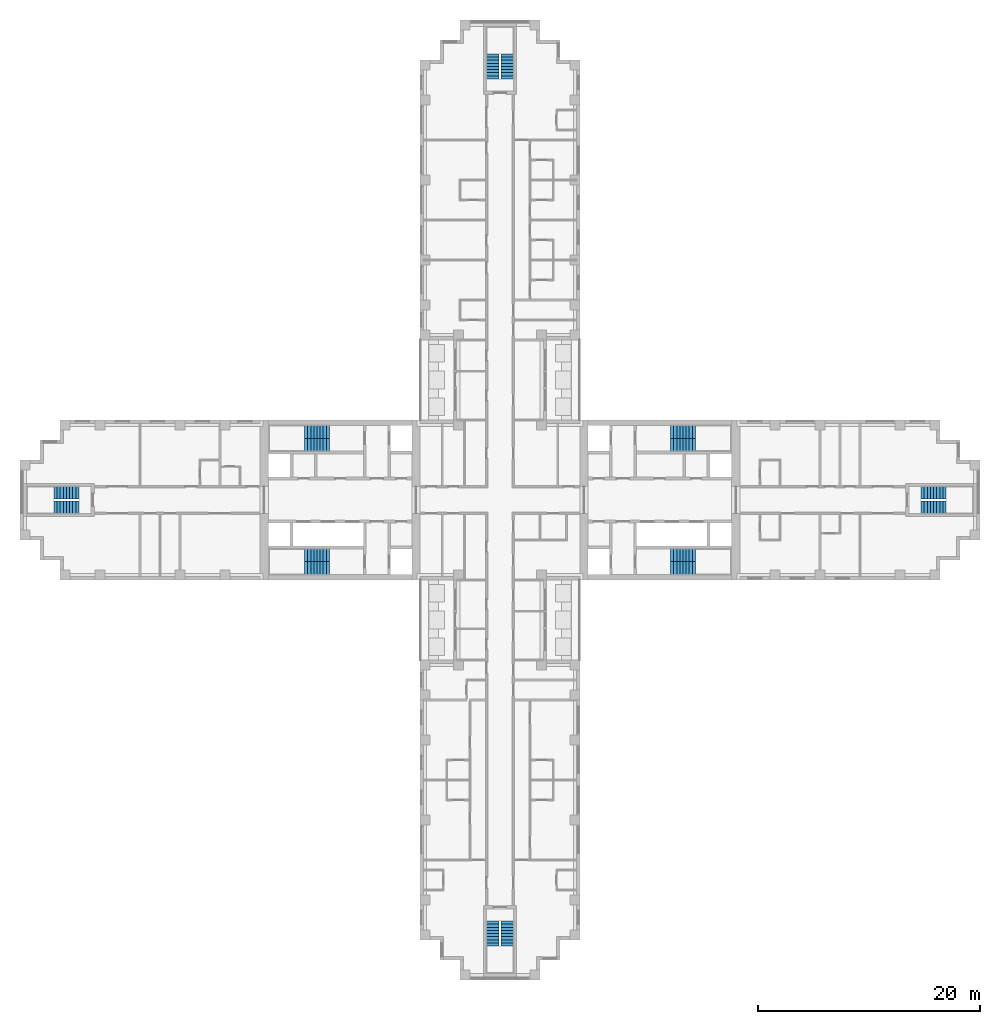
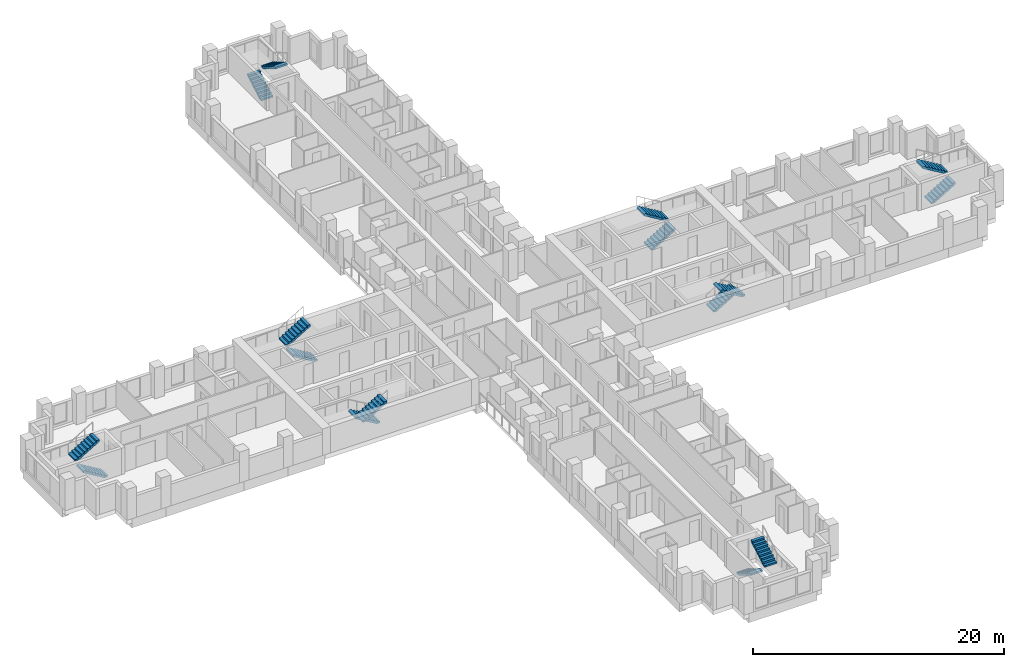
# One storey, part 13 of 15: 16 stair flights, 8 elements without a shape of their own.
"""IFC4 building model written with IfcOpenShell, lengths in metres."""

from ifc_helpers import new_model, si_unit, direction, frame, origin, place, context, subcontext, project, spatial, polyline, outline, extrude, material, type_object, element, aggregate, save


model = new_model("IFC4")

# Units and contexts
model_context = context("Model", 3, precision=1e-05, world=origin(), true_north=direction((0.0, 1.0)))
body_context = subcontext(model_context, "Body", "Model", "MODEL_VIEW")
ifc_project = project(units=[si_unit("LENGTHUNIT", "METRE"), si_unit("AREAUNIT", "SQUARE_METRE"), si_unit("VOLUMEUNIT", "CUBIC_METRE"), si_unit("PLANEANGLEUNIT", "RADIAN"), si_unit("MASSUNIT", "GRAM", prefix="KILO")], contexts=[model_context])

# Site, building, storey
site_placement = place(None, origin())
site = spatial("IfcSite", under=ifc_project, at=site_placement, CompositionType="ELEMENT")
building_placement = place(site_placement, origin())
building = spatial("IfcBuilding", under=site, at=building_placement, Name="Fustian Cross Tower", CompositionType="ELEMENT")
storey_placement = place(building_placement, frame((0.0, 0.0, 53.699951171875)))
storey = spatial("IfcBuildingStorey", under=building, at=storey_placement, Name="L16", CompositionType="ELEMENT", Elevation=53.699951171875)

# Stair, stair flights
ifc_material_1 = material(Name="Concrete C50/60", Category="concrete")
stair_type_1 = type_object("IfcStairType", Name="STAIR 1100 HALF TURN", PredefinedType="HALF_TURN_STAIR", material=ifc_material_1)
stair_1_placement = place(storey_placement, origin())
stair_1 = element("IfcStair", 1, at=stair_1_placement, inside=storey, type_object=stair_type_1, Name="Stair ST5", PredefinedType="HALF_TURN_STAIR")
ifc_material_2 = material(Name="Concrete C50/60", Category="concrete")
stair_flight_type_1 = type_object("IfcStairFlightType", Name="STAIR FLIGHT 1100", PredefinedType="STRAIGHT", material=ifc_material_2)
stair_flight_1_placement = place(storey_placement, frame((-0.64990234375, 37.89990234375, 0.0), z_axis=(0.0, 0.0, 1.0), x_axis=(0.0, 1.0, 0.0)))
stair_flight_1 = element("IfcStairFlight", 2, at=stair_flight_1_placement, type_object=stair_flight_type_1, Name="ST5 flight 1", NumberOfRisers=9, NumberOfTreads=8, PredefinedType="STRAIGHT", RiserHeight=0.166666667, TreadLength=0.28, context=body_context, shape_type="SweptSolid", body=[
    extrude(outline(polyline([(0.0, 0.0), (0.0, 0.166748046875), (0.280029296875, 0.166748046875), (0.280029296875, 0.333251953125), (0.56005859375, 0.333251953125), (0.56005859375, 0.5), (0.840087890625, 0.5), (0.840087890625, 0.666748046875), (1.1201171875, 0.666748046875), (1.1201171875, 0.833251953125), (1.39990234375, 0.833251953125), (1.39990234375, 1.0), (1.679931640625, 1.0), (1.679931640625, 1.166748046875), (1.9599609375, 1.166748046875), (1.9599609375, 1.333251953125), (2.239990234375, 1.333251953125), (2.239990234375, 1.5), (2.239990234375, 1.158935546875), (0.29296875, 0.0), (0.0, 0.0)])), frame((0.0, 0.550048828125, 0.0), z_axis=(0.0, -1.0, 0.0), x_axis=(1.0, 0.0, 0.0)), (0.0, 0.0, 1.0), 1.10009765625),
])
stair_flight_2_placement = place(storey_placement, frame((0.64990234375, 40.139892578125, 1.5), z_axis=(0.0, 0.0, 1.0), x_axis=(0.0, -1.0, 0.0)))
stair_flight_2 = element("IfcStairFlight", 3, at=stair_flight_2_placement, type_object=stair_flight_type_1, Name="ST5 flight 2", NumberOfRisers=9, NumberOfTreads=8, PredefinedType="STRAIGHT", RiserHeight=0.166666667, TreadLength=0.28, context=body_context, shape_type="SweptSolid", body=[
    extrude(outline(polyline([(0.0, 0.0), (0.0, 0.166748046875), (0.280029296875, 0.166748046875), (0.280029296875, 0.333251953125), (0.56005859375, 0.333251953125), (0.56005859375, 0.5), (0.840087890625, 0.5), (0.840087890625, 0.666748046875), (1.1201171875, 0.666748046875), (1.1201171875, 0.833251953125), (1.39990234375, 0.833251953125), (1.39990234375, 1.0), (1.679931640625, 1.0), (1.679931640625, 1.166748046875), (1.9599609375, 1.166748046875), (1.9599609375, 1.333251953125), (2.239990234375, 1.333251953125), (2.239990234375, 1.5), (2.239990234375, 1.158935546875), (0.29296875, 0.0), (0.0, 0.0)])), frame((0.0, 0.550048828125, 0.0), z_axis=(0.0, -1.0, 0.0), x_axis=(1.0, 0.0, 0.0)), (0.0, 0.0, 1.0), 1.10009765625),
])
aggregate(stair_1, [stair_flight_1, stair_flight_2])

stair_2_placement = place(storey_placement, origin())
stair_2 = element("IfcStair", 4, at=stair_2_placement, inside=storey, type_object=stair_type_1, Name="Stair ST6", PredefinedType="HALF_TURN_STAIR")
stair_flight_3_placement = place(storey_placement, frame((-0.64990234375, -37.89990234375, 0.0), z_axis=(0.0, 0.0, 1.0), x_axis=(0.0, -1.0, 0.0)))
stair_flight_3 = element("IfcStairFlight", 5, at=stair_flight_3_placement, type_object=stair_flight_type_1, Name="ST6 flight 1", NumberOfRisers=9, NumberOfTreads=8, PredefinedType="STRAIGHT", RiserHeight=0.166666667, TreadLength=0.28, context=body_context, shape_type="SweptSolid", body=[
    extrude(outline(polyline([(0.0, 0.0), (0.0, 0.166748046875), (0.280029296875, 0.166748046875), (0.280029296875, 0.333251953125), (0.56005859375, 0.333251953125), (0.56005859375, 0.5), (0.840087890625, 0.5), (0.840087890625, 0.666748046875), (1.1201171875, 0.666748046875), (1.1201171875, 0.833251953125), (1.39990234375, 0.833251953125), (1.39990234375, 1.0), (1.679931640625, 1.0), (1.679931640625, 1.166748046875), (1.9599609375, 1.166748046875), (1.9599609375, 1.333251953125), (2.239990234375, 1.333251953125), (2.239990234375, 1.5), (2.239990234375, 1.158935546875), (0.29296875, 0.0), (0.0, 0.0)])), frame((0.0, 0.550048828125, 0.0), z_axis=(0.0, -1.0, 0.0), x_axis=(1.0, 0.0, 0.0)), (0.0, 0.0, 1.0), 1.10009765625),
])
stair_flight_4_placement = place(storey_placement, frame((0.64990234375, -40.139892578125, 1.5), z_axis=(0.0, 0.0, 1.0), x_axis=(0.0, 1.0, 0.0)))
stair_flight_4 = element("IfcStairFlight", 6, at=stair_flight_4_placement, type_object=stair_flight_type_1, Name="ST6 flight 2", NumberOfRisers=9, NumberOfTreads=8, PredefinedType="STRAIGHT", RiserHeight=0.166666667, TreadLength=0.28, context=body_context, shape_type="SweptSolid", body=[
    extrude(outline(polyline([(0.0, 0.0), (0.0, 0.166748046875), (0.280029296875, 0.166748046875), (0.280029296875, 0.333251953125), (0.56005859375, 0.333251953125), (0.56005859375, 0.5), (0.840087890625, 0.5), (0.840087890625, 0.666748046875), (1.1201171875, 0.666748046875), (1.1201171875, 0.833251953125), (1.39990234375, 0.833251953125), (1.39990234375, 1.0), (1.679931640625, 1.0), (1.679931640625, 1.166748046875), (1.9599609375, 1.166748046875), (1.9599609375, 1.333251953125), (2.239990234375, 1.333251953125), (2.239990234375, 1.5), (2.239990234375, 1.158935546875), (0.29296875, 0.0), (0.0, 0.0)])), frame((0.0, 0.550048828125, 0.0), z_axis=(0.0, -1.0, 0.0), x_axis=(1.0, 0.0, 0.0)), (0.0, 0.0, 1.0), 1.10009765625),
])
aggregate(stair_2, [stair_flight_3, stair_flight_4])

stair_3_placement = place(storey_placement, origin())
stair_3 = element("IfcStair", 7, at=stair_3_placement, inside=storey, type_object=stair_type_1, Name="Stair ST8", PredefinedType="HALF_TURN_STAIR")
stair_flight_5_placement = place(storey_placement, frame((37.89990234375, -0.64990234375, 0.0), z_axis=(0.0, 0.0, 1.0), x_axis=(1.0, 0.0, 0.0)))
stair_flight_5 = element("IfcStairFlight", 8, at=stair_flight_5_placement, type_object=stair_flight_type_1, Name="ST8 flight 1", NumberOfRisers=9, NumberOfTreads=8, PredefinedType="STRAIGHT", RiserHeight=0.166666667, TreadLength=0.28, context=body_context, shape_type="SweptSolid", body=[
    extrude(outline(polyline([(0.0, 0.0), (0.0, 0.166748046875), (0.280029296875, 0.166748046875), (0.280029296875, 0.333251953125), (0.56005859375, 0.333251953125), (0.56005859375, 0.5), (0.840087890625, 0.5), (0.840087890625, 0.666748046875), (1.1201171875, 0.666748046875), (1.1201171875, 0.833251953125), (1.39990234375, 0.833251953125), (1.39990234375, 1.0), (1.679931640625, 1.0), (1.679931640625, 1.166748046875), (1.9599609375, 1.166748046875), (1.9599609375, 1.333251953125), (2.239990234375, 1.333251953125), (2.239990234375, 1.5), (2.239990234375, 1.158935546875), (0.29296875, 0.0), (0.0, 0.0)])), frame((0.0, 0.550048828125, 0.0), z_axis=(0.0, -1.0, 0.0), x_axis=(1.0, 0.0, 0.0)), (0.0, 0.0, 1.0), 1.10009765625),
])
stair_flight_6_placement = place(storey_placement, frame((40.139892578125, 0.64990234375, 1.5), z_axis=(0.0, 0.0, 1.0), x_axis=(-1.0, 0.0, 0.0)))
stair_flight_6 = element("IfcStairFlight", 9, at=stair_flight_6_placement, type_object=stair_flight_type_1, Name="ST8 flight 2", NumberOfRisers=9, NumberOfTreads=8, PredefinedType="STRAIGHT", RiserHeight=0.166666667, TreadLength=0.28, context=body_context, shape_type="SweptSolid", body=[
    extrude(outline(polyline([(0.0, 0.0), (0.0, 0.166748046875), (0.280029296875, 0.166748046875), (0.280029296875, 0.333251953125), (0.56005859375, 0.333251953125), (0.56005859375, 0.5), (0.840087890625, 0.5), (0.840087890625, 0.666748046875), (1.1201171875, 0.666748046875), (1.1201171875, 0.833251953125), (1.39990234375, 0.833251953125), (1.39990234375, 1.0), (1.679931640625, 1.0), (1.679931640625, 1.166748046875), (1.9599609375, 1.166748046875), (1.9599609375, 1.333251953125), (2.239990234375, 1.333251953125), (2.239990234375, 1.5), (2.239990234375, 1.158935546875), (0.29296875, 0.0), (0.0, 0.0)])), frame((0.0, 0.550048828125, 0.0), z_axis=(0.0, -1.0, 0.0), x_axis=(1.0, 0.0, 0.0)), (0.0, 0.0, 1.0), 1.10009765625),
])
aggregate(stair_3, [stair_flight_5, stair_flight_6])

stair_4_placement = place(storey_placement, origin())
stair_4 = element("IfcStair", 10, at=stair_4_placement, inside=storey, type_object=stair_type_1, Name="Stair ST9", PredefinedType="HALF_TURN_STAIR")
stair_flight_7_placement = place(storey_placement, frame((-37.89990234375, -0.64990234375, 0.0), z_axis=(0.0, 0.0, 1.0), x_axis=(-1.0, 0.0, 0.0)))
stair_flight_7 = element("IfcStairFlight", 11, at=stair_flight_7_placement, type_object=stair_flight_type_1, Name="ST9 flight 1", NumberOfRisers=9, NumberOfTreads=8, PredefinedType="STRAIGHT", RiserHeight=0.166666667, TreadLength=0.28, context=body_context, shape_type="SweptSolid", body=[
    extrude(outline(polyline([(0.0, 0.0), (0.0, 0.166748046875), (0.280029296875, 0.166748046875), (0.280029296875, 0.333251953125), (0.56005859375, 0.333251953125), (0.56005859375, 0.5), (0.840087890625, 0.5), (0.840087890625, 0.666748046875), (1.1201171875, 0.666748046875), (1.1201171875, 0.833251953125), (1.39990234375, 0.833251953125), (1.39990234375, 1.0), (1.679931640625, 1.0), (1.679931640625, 1.166748046875), (1.9599609375, 1.166748046875), (1.9599609375, 1.333251953125), (2.239990234375, 1.333251953125), (2.239990234375, 1.5), (2.239990234375, 1.158935546875), (0.29296875, 0.0), (0.0, 0.0)])), frame((0.0, 0.550048828125, 0.0), z_axis=(0.0, -1.0, 0.0), x_axis=(1.0, 0.0, 0.0)), (0.0, 0.0, 1.0), 1.10009765625),
])
stair_flight_8_placement = place(storey_placement, frame((-40.139892578125, 0.64990234375, 1.5), z_axis=(0.0, 0.0, 1.0), x_axis=(1.0, 0.0, 0.0)))
stair_flight_8 = element("IfcStairFlight", 12, at=stair_flight_8_placement, type_object=stair_flight_type_1, Name="ST9 flight 2", NumberOfRisers=9, NumberOfTreads=8, PredefinedType="STRAIGHT", RiserHeight=0.166666667, TreadLength=0.28, context=body_context, shape_type="SweptSolid", body=[
    extrude(outline(polyline([(0.0, 0.0), (0.0, 0.166748046875), (0.280029296875, 0.166748046875), (0.280029296875, 0.333251953125), (0.56005859375, 0.333251953125), (0.56005859375, 0.5), (0.840087890625, 0.5), (0.840087890625, 0.666748046875), (1.1201171875, 0.666748046875), (1.1201171875, 0.833251953125), (1.39990234375, 0.833251953125), (1.39990234375, 1.0), (1.679931640625, 1.0), (1.679931640625, 1.166748046875), (1.9599609375, 1.166748046875), (1.9599609375, 1.333251953125), (2.239990234375, 1.333251953125), (2.239990234375, 1.5), (2.239990234375, 1.158935546875), (0.29296875, 0.0), (0.0, 0.0)])), frame((0.0, 0.550048828125, 0.0), z_axis=(0.0, -1.0, 0.0), x_axis=(1.0, 0.0, 0.0)), (0.0, 0.0, 1.0), 1.10009765625),
])
aggregate(stair_4, [stair_flight_7, stair_flight_8])

ifc_material_3 = material(Name="Concrete C50/60", Category="concrete")
stair_type_2 = type_object("IfcStairType", Name="STAIR 1150 HALF TURN", PredefinedType="HALF_TURN_STAIR", material=ifc_material_3)
stair_5_placement = place(storey_placement, origin())
stair_5 = element("IfcStair", 13, at=stair_5_placement, inside=storey, type_object=stair_type_2, Name="Stair ST1", PredefinedType="HALF_TURN_STAIR")
ifc_material_4 = material(Name="Concrete C50/60", Category="concrete")
stair_flight_type_2 = type_object("IfcStairFlightType", Name="STAIR FLIGHT 1150", PredefinedType="STRAIGHT", material=ifc_material_4)
stair_flight_9_placement = place(storey_placement, frame((15.35009765625, 4.97509765625, 0.0), z_axis=(0.0, 0.0, 1.0), x_axis=(1.0, 0.0, 0.0)))
stair_flight_9 = element("IfcStairFlight", 14, at=stair_flight_9_placement, type_object=stair_flight_type_2, Name="ST1 flight 1", NumberOfRisers=9, NumberOfTreads=8, PredefinedType="STRAIGHT", RiserHeight=0.166666667, TreadLength=0.28, context=body_context, shape_type="SweptSolid", body=[
    extrude(outline(polyline([(0.0, 0.0), (0.0, 0.166748046875), (0.280029296875, 0.166748046875), (0.280029296875, 0.333251953125), (0.56005859375, 0.333251953125), (0.56005859375, 0.5), (0.840087890625, 0.5), (0.840087890625, 0.666748046875), (1.1201171875, 0.666748046875), (1.1201171875, 0.833251953125), (1.39990234375, 0.833251953125), (1.39990234375, 1.0), (1.679931640625, 1.0), (1.679931640625, 1.166748046875), (1.9599609375, 1.166748046875), (1.9599609375, 1.333251953125), (2.239990234375, 1.333251953125), (2.239990234375, 1.5), (2.239990234375, 1.158935546875), (0.29296875, 0.0), (0.0, 0.0)])), frame((0.0, 0.574951171875, 0.0), z_axis=(0.0, -1.0, 0.0), x_axis=(1.0, 0.0, 0.0)), (0.0, 0.0, 1.0), 1.14990234375),
])
stair_flight_10_placement = place(storey_placement, frame((17.590087890625, 6.125, 1.5), z_axis=(0.0, 0.0, 1.0), x_axis=(-1.0, 0.0, 0.0)))
stair_flight_10 = element("IfcStairFlight", 15, at=stair_flight_10_placement, type_object=stair_flight_type_2, Name="ST1 flight 2", NumberOfRisers=9, NumberOfTreads=8, PredefinedType="STRAIGHT", RiserHeight=0.166666667, TreadLength=0.28, context=body_context, shape_type="SweptSolid", body=[
    extrude(outline(polyline([(0.0, 0.0), (0.0, 0.166748046875), (0.280029296875, 0.166748046875), (0.280029296875, 0.333251953125), (0.56005859375, 0.333251953125), (0.56005859375, 0.5), (0.840087890625, 0.5), (0.840087890625, 0.666748046875), (1.1201171875, 0.666748046875), (1.1201171875, 0.833251953125), (1.39990234375, 0.833251953125), (1.39990234375, 1.0), (1.679931640625, 1.0), (1.679931640625, 1.166748046875), (1.9599609375, 1.166748046875), (1.9599609375, 1.333251953125), (2.239990234375, 1.333251953125), (2.239990234375, 1.5), (2.239990234375, 1.158935546875), (0.29296875, 0.0), (0.0, 0.0)])), frame((0.0, 0.574951171875, 0.0), z_axis=(0.0, -1.0, 0.0), x_axis=(1.0, 0.0, 0.0)), (0.0, 0.0, 1.0), 1.14990234375),
])
aggregate(stair_5, [stair_flight_9, stair_flight_10])

stair_6_placement = place(storey_placement, origin())
stair_6 = element("IfcStair", 16, at=stair_6_placement, inside=storey, type_object=stair_type_2, Name="Stair ST2", PredefinedType="HALF_TURN_STAIR")
stair_flight_11_placement = place(storey_placement, frame((15.35009765625, -4.97509765625, 0.0), z_axis=(0.0, 0.0, 1.0), x_axis=(1.0, 0.0, 0.0)))
stair_flight_11 = element("IfcStairFlight", 17, at=stair_flight_11_placement, type_object=stair_flight_type_2, Name="ST2 flight 1", NumberOfRisers=9, NumberOfTreads=8, PredefinedType="STRAIGHT", RiserHeight=0.166666667, TreadLength=0.28, context=body_context, shape_type="SweptSolid", body=[
    extrude(outline(polyline([(0.0, 0.0), (0.0, 0.166748046875), (0.280029296875, 0.166748046875), (0.280029296875, 0.333251953125), (0.56005859375, 0.333251953125), (0.56005859375, 0.5), (0.840087890625, 0.5), (0.840087890625, 0.666748046875), (1.1201171875, 0.666748046875), (1.1201171875, 0.833251953125), (1.39990234375, 0.833251953125), (1.39990234375, 1.0), (1.679931640625, 1.0), (1.679931640625, 1.166748046875), (1.9599609375, 1.166748046875), (1.9599609375, 1.333251953125), (2.239990234375, 1.333251953125), (2.239990234375, 1.5), (2.239990234375, 1.158935546875), (0.29296875, 0.0), (0.0, 0.0)])), frame((0.0, 0.574951171875, 0.0), z_axis=(0.0, -1.0, 0.0), x_axis=(1.0, 0.0, 0.0)), (0.0, 0.0, 1.0), 1.14990234375),
])
stair_flight_12_placement = place(storey_placement, frame((17.590087890625, -6.125, 1.5), z_axis=(0.0, 0.0, 1.0), x_axis=(-1.0, 0.0, 0.0)))
stair_flight_12 = element("IfcStairFlight", 18, at=stair_flight_12_placement, type_object=stair_flight_type_2, Name="ST2 flight 2", NumberOfRisers=9, NumberOfTreads=8, PredefinedType="STRAIGHT", RiserHeight=0.166666667, TreadLength=0.28, context=body_context, shape_type="SweptSolid", body=[
    extrude(outline(polyline([(0.0, 0.0), (0.0, 0.166748046875), (0.280029296875, 0.166748046875), (0.280029296875, 0.333251953125), (0.56005859375, 0.333251953125), (0.56005859375, 0.5), (0.840087890625, 0.5), (0.840087890625, 0.666748046875), (1.1201171875, 0.666748046875), (1.1201171875, 0.833251953125), (1.39990234375, 0.833251953125), (1.39990234375, 1.0), (1.679931640625, 1.0), (1.679931640625, 1.166748046875), (1.9599609375, 1.166748046875), (1.9599609375, 1.333251953125), (2.239990234375, 1.333251953125), (2.239990234375, 1.5), (2.239990234375, 1.158935546875), (0.29296875, 0.0), (0.0, 0.0)])), frame((0.0, 0.574951171875, 0.0), z_axis=(0.0, -1.0, 0.0), x_axis=(1.0, 0.0, 0.0)), (0.0, 0.0, 1.0), 1.14990234375),
])
aggregate(stair_6, [stair_flight_11, stair_flight_12])

stair_7_placement = place(storey_placement, origin())
stair_7 = element("IfcStair", 19, at=stair_7_placement, inside=storey, type_object=stair_type_2, Name="Stair ST3", PredefinedType="HALF_TURN_STAIR")
stair_flight_13_placement = place(storey_placement, frame((-15.35009765625, 4.97509765625, 0.0), z_axis=(0.0, 0.0, 1.0), x_axis=(-1.0, 0.0, 0.0)))
stair_flight_13 = element("IfcStairFlight", 20, at=stair_flight_13_placement, type_object=stair_flight_type_2, Name="ST3 flight 1", NumberOfRisers=9, NumberOfTreads=8, PredefinedType="STRAIGHT", RiserHeight=0.166666667, TreadLength=0.28, context=body_context, shape_type="SweptSolid", body=[
    extrude(outline(polyline([(0.0, 0.0), (0.0, 0.166748046875), (0.280029296875, 0.166748046875), (0.280029296875, 0.333251953125), (0.56005859375, 0.333251953125), (0.56005859375, 0.5), (0.840087890625, 0.5), (0.840087890625, 0.666748046875), (1.1201171875, 0.666748046875), (1.1201171875, 0.833251953125), (1.39990234375, 0.833251953125), (1.39990234375, 1.0), (1.679931640625, 1.0), (1.679931640625, 1.166748046875), (1.9599609375, 1.166748046875), (1.9599609375, 1.333251953125), (2.239990234375, 1.333251953125), (2.239990234375, 1.5), (2.239990234375, 1.158935546875), (0.29296875, 0.0), (0.0, 0.0)])), frame((0.0, 0.574951171875, 0.0), z_axis=(0.0, -1.0, 0.0), x_axis=(1.0, 0.0, 0.0)), (0.0, 0.0, 1.0), 1.14990234375),
])
stair_flight_14_placement = place(storey_placement, frame((-17.590087890625, 6.125, 1.5), z_axis=(0.0, 0.0, 1.0), x_axis=(1.0, 0.0, 0.0)))
stair_flight_14 = element("IfcStairFlight", 21, at=stair_flight_14_placement, type_object=stair_flight_type_2, Name="ST3 flight 2", NumberOfRisers=9, NumberOfTreads=8, PredefinedType="STRAIGHT", RiserHeight=0.166666667, TreadLength=0.28, context=body_context, shape_type="SweptSolid", body=[
    extrude(outline(polyline([(0.0, 0.0), (0.0, 0.166748046875), (0.280029296875, 0.166748046875), (0.280029296875, 0.333251953125), (0.56005859375, 0.333251953125), (0.56005859375, 0.5), (0.840087890625, 0.5), (0.840087890625, 0.666748046875), (1.1201171875, 0.666748046875), (1.1201171875, 0.833251953125), (1.39990234375, 0.833251953125), (1.39990234375, 1.0), (1.679931640625, 1.0), (1.679931640625, 1.166748046875), (1.9599609375, 1.166748046875), (1.9599609375, 1.333251953125), (2.239990234375, 1.333251953125), (2.239990234375, 1.5), (2.239990234375, 1.158935546875), (0.29296875, 0.0), (0.0, 0.0)])), frame((0.0, 0.574951171875, 0.0), z_axis=(0.0, -1.0, 0.0), x_axis=(1.0, 0.0, 0.0)), (0.0, 0.0, 1.0), 1.14990234375),
])
aggregate(stair_7, [stair_flight_13, stair_flight_14])

stair_8_placement = place(storey_placement, origin())
stair_8 = element("IfcStair", 22, at=stair_8_placement, inside=storey, type_object=stair_type_2, Name="Stair ST4", PredefinedType="HALF_TURN_STAIR")
stair_flight_15_placement = place(storey_placement, frame((-15.35009765625, -4.97509765625, 0.0), z_axis=(0.0, 0.0, 1.0), x_axis=(-1.0, 0.0, 0.0)))
stair_flight_15 = element("IfcStairFlight", 23, at=stair_flight_15_placement, type_object=stair_flight_type_2, Name="ST4 flight 1", NumberOfRisers=9, NumberOfTreads=8, PredefinedType="STRAIGHT", RiserHeight=0.166666667, TreadLength=0.28, context=body_context, shape_type="SweptSolid", body=[
    extrude(outline(polyline([(0.0, 0.0), (0.0, 0.166748046875), (0.280029296875, 0.166748046875), (0.280029296875, 0.333251953125), (0.56005859375, 0.333251953125), (0.56005859375, 0.5), (0.840087890625, 0.5), (0.840087890625, 0.666748046875), (1.1201171875, 0.666748046875), (1.1201171875, 0.833251953125), (1.39990234375, 0.833251953125), (1.39990234375, 1.0), (1.679931640625, 1.0), (1.679931640625, 1.166748046875), (1.9599609375, 1.166748046875), (1.9599609375, 1.333251953125), (2.239990234375, 1.333251953125), (2.239990234375, 1.5), (2.239990234375, 1.158935546875), (0.29296875, 0.0), (0.0, 0.0)])), frame((0.0, 0.574951171875, 0.0), z_axis=(0.0, -1.0, 0.0), x_axis=(1.0, 0.0, 0.0)), (0.0, 0.0, 1.0), 1.14990234375),
])
stair_flight_16_placement = place(storey_placement, frame((-17.590087890625, -6.125, 1.5), z_axis=(0.0, 0.0, 1.0), x_axis=(1.0, 0.0, 0.0)))
stair_flight_16 = element("IfcStairFlight", 24, at=stair_flight_16_placement, type_object=stair_flight_type_2, Name="ST4 flight 2", NumberOfRisers=9, NumberOfTreads=8, PredefinedType="STRAIGHT", RiserHeight=0.166666667, TreadLength=0.28, context=body_context, shape_type="SweptSolid", body=[
    extrude(outline(polyline([(0.0, 0.0), (0.0, 0.166748046875), (0.280029296875, 0.166748046875), (0.280029296875, 0.333251953125), (0.56005859375, 0.333251953125), (0.56005859375, 0.5), (0.840087890625, 0.5), (0.840087890625, 0.666748046875), (1.1201171875, 0.666748046875), (1.1201171875, 0.833251953125), (1.39990234375, 0.833251953125), (1.39990234375, 1.0), (1.679931640625, 1.0), (1.679931640625, 1.166748046875), (1.9599609375, 1.166748046875), (1.9599609375, 1.333251953125), (2.239990234375, 1.333251953125), (2.239990234375, 1.5), (2.239990234375, 1.158935546875), (0.29296875, 0.0), (0.0, 0.0)])), frame((0.0, 0.574951171875, 0.0), z_axis=(0.0, -1.0, 0.0), x_axis=(1.0, 0.0, 0.0)), (0.0, 0.0, 1.0), 1.14990234375),
])
aggregate(stair_8, [stair_flight_15, stair_flight_16])

save(model, "model.ifc")
